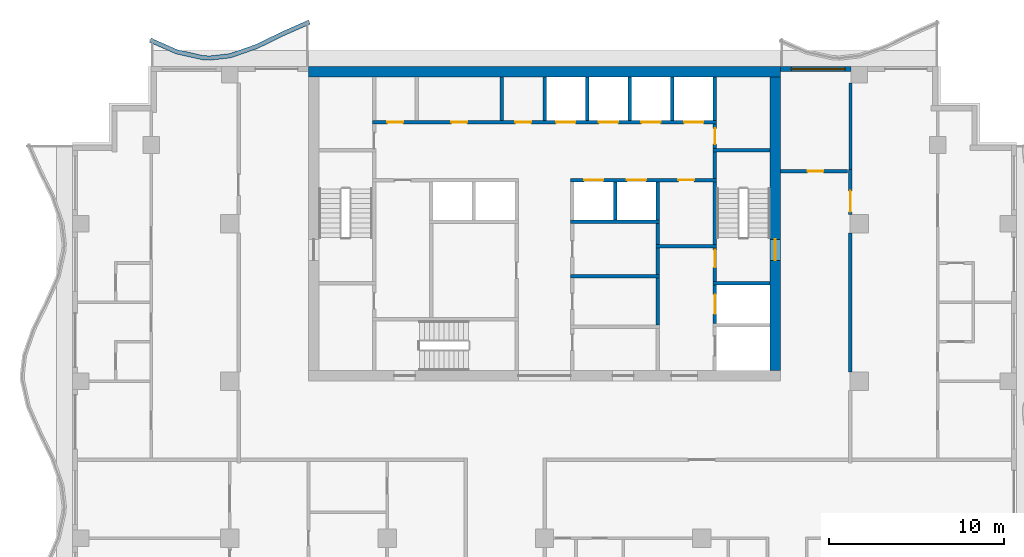
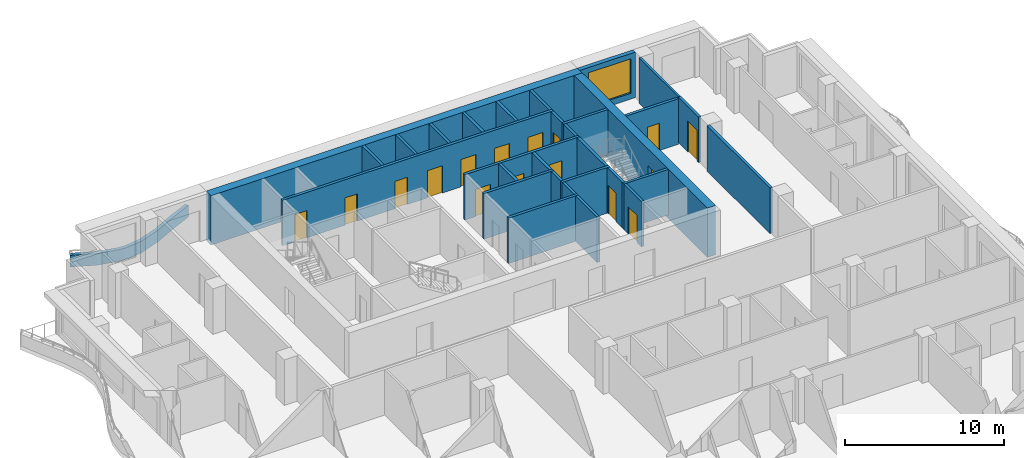
# One storey, part 6 of 11: 31 walls, 16 doors, 1 window, 17 openings.
"""IFC4 building model written with IfcOpenShell, lengths in metres."""

import ifcopenshell
import ifcopenshell.guid

model = None  # the IFC model being written
_history = None  # IfcOwnerHistory: only IFC2X3 demands one
_inside = {}  # id of a spatial element -> (the spatial element, [elements in it])
_under = {}  # id of a project, library or spatial element -> (it, [spatial elements below it])
_declared = {}  # id of a project -> (the project, [libraries it declares])
_typed = {}  # id of a type object -> (the type object, [elements of that type])
_made_of = {}  # id of a material, layer set ... -> (it, [elements and type objects made of it])


def new_model(schema):
    """Start an empty IFC model of exactly this schema.

    Asked for "IFC4X3", IfcOpenShell would pick the latest addendum, in which some entities
    have other attributes; the version numbers below select the first issue.
    IFC2X3 requires an IfcOwnerHistory on every rooted entity: one is made here for all.
    """
    global model, _history
    if schema == "IFC4X3":
        model = ifcopenshell.file(schema_version=(4, 3, 0, 0))
    else:
        model = ifcopenshell.file(schema=schema)
    _inside.clear()
    _under.clear()
    _declared.clear()
    _typed.clear()
    _made_of.clear()
    _history = None
    if model.schema == "IFC2X3":
        org = make("IfcOrganization", Name="unknown")
        user = make(
            "IfcPersonAndOrganization",
            ThePerson=make("IfcPerson", FamilyName="unknown"),
            TheOrganization=org,
        )
        app = make(
            "IfcApplication",
            ApplicationDeveloper=org,
            Version="unknown",
            ApplicationFullName="unknown",
            ApplicationIdentifier="unknown",
        )
        _history = make(
            "IfcOwnerHistory",
            OwningUser=user,
            OwningApplication=app,
            ChangeAction="ADDED",
            CreationDate=0,
        )
    return model


def make(cls, **values):
    """One entity of the class cls with the attributes given. An attribute that is None is left unset."""
    return model.create_entity(
        cls, **{name: value for name, value in values.items() if value is not None}
    )


def rooted(cls, **values):
    """An entity with a GlobalId (a new one), such as an element, a storey or a relation."""
    return make(cls, GlobalId=ifcopenshell.guid.new(), OwnerHistory=_history, **values)


def si_unit(unit_type, name, prefix=None):
    """IfcSIUnit, for example si_unit("LENGTHUNIT", "METRE", prefix="MILLI")."""
    return make("IfcSIUnit", UnitType=unit_type, Prefix=prefix, Name=name)


def assignment(units):
    """IfcUnitAssignment: the units of a project."""
    return None if units is None else make("IfcUnitAssignment", Units=units)


def point(xyz):
    """IfcCartesianPoint."""
    return None if xyz is None else make("IfcCartesianPoint", Coordinates=xyz)


def direction(xyz):
    """IfcDirection."""
    return None if xyz is None else make("IfcDirection", DirectionRatios=xyz)


def frame(location, z_axis=None, x_axis=None):
    """IfcAxis2Placement3D, a coordinate frame: its origin and axes. An axis left out is left unset."""
    return make(
        "IfcAxis2Placement3D",
        Location=point(location),
        Axis=direction(z_axis),
        RefDirection=direction(x_axis),
    )


def frame_2d(location, x_axis=None):
    """IfcAxis2Placement2D, a coordinate frame in the plane: its origin and x axis."""
    return make(
        "IfcAxis2Placement2D", Location=point(location), RefDirection=direction(x_axis)
    )


def origin():
    """The frame at (0, 0, 0) with its axes left unset."""
    return frame((0.0, 0.0, 0.0))


def place(relative_to, where):
    """IfcLocalPlacement: puts the frame where relative to a parent placement (None: the world)."""
    return make(
        "IfcLocalPlacement", PlacementRelTo=relative_to, RelativePlacement=where
    )


def context(
    kind, dimensions, precision=None, world=None, true_north=None, identifier=None
):
    """IfcGeometricRepresentationContext, for example the 3D "Model" context."""
    return make(
        "IfcGeometricRepresentationContext",
        ContextIdentifier=identifier,
        ContextType=kind,
        CoordinateSpaceDimension=dimensions,
        Precision=precision,
        WorldCoordinateSystem=world,
        TrueNorth=true_north,
    )


def subcontext(parent, identifier, kind, view, scale=None):
    """IfcGeometricRepresentationSubContext, for example "Body" below "Model"."""
    return make(
        "IfcGeometricRepresentationSubContext",
        ContextIdentifier=identifier,
        ContextType=kind,
        ParentContext=parent,
        TargetScale=scale,
        TargetView=view,
    )


def project(units=None, contexts=None):
    """IfcProject with its units and contexts."""
    return rooted(
        "IfcProject",
        Name="project",
        RepresentationContexts=contexts,
        UnitsInContext=assignment(units),
    )


def spatial(cls, under=None, at=None, **own):
    """A site, building, storey or space (cls), placed at a placement, below another one or the project."""
    s = rooted(cls, ObjectPlacement=at, **own)
    if under is not None:
        _under.setdefault(under.id(), (under, []))[1].append(s)
    return s


def polyline(points):
    """IfcPolyline through the points."""
    return make("IfcPolyline", Points=[point(p) for p in points])


def profile(cls, at=None, kind="AREA", **sizes):
    """A parametric profile (cls). Its sizes go by their IFC names, for example OverallWidth=200.0."""
    return make(cls, ProfileType=kind, Position=at, **sizes)


def rectangle(**sizes):
    """IfcRectangleProfileDef."""
    return profile("IfcRectangleProfileDef", **sizes)


def outline(outer, holes=None, kind="AREA"):
    """IfcArbitraryClosedProfileDef: a profile drawn as a closed curve; with holes, ...WithVoids."""
    if holes is None:
        return make("IfcArbitraryClosedProfileDef", ProfileType=kind, OuterCurve=outer)
    return make(
        "IfcArbitraryProfileDefWithVoids",
        ProfileType=kind,
        OuterCurve=outer,
        InnerCurves=holes,
    )


def extrude(swept, where, along, depth):
    """IfcExtrudedAreaSolid: the profile swept, set in the frame where, extruded along a direction by depth."""
    return make(
        "IfcExtrudedAreaSolid",
        SweptArea=swept,
        Position=where,
        ExtrudedDirection=direction(along),
        Depth=depth,
    )


def shape(context_of_items, identifier, shape_type, items):
    """IfcShapeRepresentation: the items that make up one representation, for example the "Body"."""
    return make(
        "IfcShapeRepresentation",
        ContextOfItems=context_of_items,
        RepresentationIdentifier=identifier,
        RepresentationType=shape_type,
        Items=items,
    )


def material(Name=None, Category=None):
    """IfcMaterial."""
    return make("IfcMaterial", Name=Name, Category=Category)


def layer(
    of_material, thickness, ventilated=None, Name=None, Category=None, Priority=None
):
    """IfcMaterialLayer: one layer of a wall or slab, of a material (None: an air gap)."""
    return make(
        "IfcMaterialLayer",
        Material=of_material,
        LayerThickness=thickness,
        IsVentilated=ventilated,
        Name=Name,
        Category=Category,
        Priority=Priority,
    )


def layer_set(layers, Name=None):
    """IfcMaterialLayerSet."""
    return make("IfcMaterialLayerSet", MaterialLayers=layers, LayerSetName=Name)


def made_of(thing, what):
    """Note that an element or type object is made of a material, layer set ...; save() writes the relation."""
    if what is not None:
        _made_of.setdefault(what.id(), (what, []))[1].append(thing)
    return thing


def type_object(cls, material=None, **own):
    """A type object (cls), such as IfcWallType, which elements share."""
    return made_of(rooted(cls, **own), material)


def element(
    cls,
    number,
    at=None,
    inside=None,
    cuts=None,
    type_object=None,
    material=None,
    context=None,
    identifier="Body",
    shape_type=None,
    held_by="IfcProductDefinitionShape",
    body=None,
    shapes=None,
    **own,
):
    """One element of the class cls, such as IfcWall. Its Tag is "e" and its number.

    at: its placement. inside: the storey or other place that contains it. cuts: it is an
    opening in that element (IfcRelVoidsElement). A single representation is given by context,
    identifier, shape_type and body (its items); several are given by shapes. held_by: the class
    of the entity that holds the representations. save() writes the other relations.
    """
    e = rooted(cls, Tag="e%d" % number, ObjectPlacement=at, **own)
    if body is not None:
        shapes = [shape(context, identifier, shape_type, body)]
    if shapes is not None:
        e.Representation = make(held_by, Representations=shapes)
    if inside is not None:
        _inside.setdefault(inside.id(), (inside, []))[1].append(e)
    if cuts is not None:
        rooted(
            "IfcRelVoidsElement", RelatingBuildingElement=cuts, RelatedOpeningElement=e
        )
    if type_object is not None:
        _typed.setdefault(type_object.id(), (type_object, []))[1].append(e)
    return made_of(e, material)


def fill(opening, filler):
    """IfcRelFillsElement: the door or window that sits in an opening."""
    return rooted(
        "IfcRelFillsElement",
        RelatingOpeningElement=opening,
        RelatedBuildingElement=filler,
    )


def aggregate(whole, parts):
    """IfcRelAggregates: a whole, such as a stair, and the parts it consists of."""
    return rooted("IfcRelAggregates", RelatingObject=whole, RelatedObjects=parts)


def save(model, path):
    """Write the relations noted so far, then the file.

    IfcRelAggregates (storeys below a building ...), IfcRelContainedInSpatialStructure (elements
    in a storey), IfcRelDefinesByType, IfcRelAssociatesMaterial and IfcRelDeclares: one each for
    every whole, place, type object, material and project.
    """
    for whole, parts in _under.values():
        aggregate(whole, parts)
    for where, things in _inside.values():
        rooted(
            "IfcRelContainedInSpatialStructure",
            RelatedElements=things,
            RelatingStructure=where,
        )
    for kind, things in _typed.values():
        rooted("IfcRelDefinesByType", RelatedObjects=things, RelatingType=kind)
    for what, things in _made_of.values():
        rooted("IfcRelAssociatesMaterial", RelatedObjects=things, RelatingMaterial=what)
    for by, libraries in _declared.values():
        rooted("IfcRelDeclares", RelatingContext=by, RelatedDefinitions=libraries)
    model.write(path)


model = new_model("IFC4")

# Units and contexts
model_context = context("Model", 3, precision=1e-05, world=origin(), true_north=direction((0.0, 1.0)))
body_context = subcontext(model_context, "Body", "Model", "MODEL_VIEW")
ifc_project = project(units=[si_unit("LENGTHUNIT", "METRE"), si_unit("AREAUNIT", "SQUARE_METRE"), si_unit("VOLUMEUNIT", "CUBIC_METRE"), si_unit("PLANEANGLEUNIT", "RADIAN"), si_unit("MASSUNIT", "GRAM", prefix="KILO")], contexts=[model_context])

# Site, building, storey
site_placement = place(None, origin())
site = spatial("IfcSite", under=ifc_project, at=site_placement, CompositionType="ELEMENT")
building_placement = place(site_placement, origin())
building = spatial("IfcBuilding", under=site, at=building_placement, Name="Orbiselva Terraces", CompositionType="ELEMENT")
storey_placement = place(building_placement, frame((0.0, 0.0, 222.4)))
storey = spatial("IfcBuildingStorey", under=building, at=storey_placement, Name="L56", CompositionType="ELEMENT", Elevation=222.4)

# Wall, opening, door
ifc_material_1 = material(Name="Concrete C80/95", Category="concrete")
ifc_layer_1 = layer(ifc_material_1, 0.6)
ifc_layer_set_1 = layer_set([ifc_layer_1], Name="Concrete C80/95")
wall_type_1 = type_object("IfcWallType", Name="CORE WALL 600", PredefinedType="SHEAR", material=ifc_layer_set_1)
wall_1_placement = place(storey_placement, frame((13.2, 5.1, -0.3), z_axis=(0.0, 0.0, 1.0), x_axis=(0.0, 1.0, 0.0)))
wall_1 = element("IfcWall", 1, at=wall_1_placement, inside=storey, type_object=wall_type_1, Name="Core wall L56 east", PredefinedType="SHEAR", context=body_context, shape_type="SweptSolid", body=[
    extrude(rectangle(XDim=16.8, YDim=0.6, at=frame_2d((8.4, 0.0))), origin(), (0.0, 0.0, 1.0), 3.8),
])
opening_1_placement = place(wall_1_placement, frame((6.3, 0.0, 0.3)))
opening_1 = element("IfcOpeningElement", 2, at=opening_1_placement, cuts=wall_1, Name="Opening DS1200", PredefinedType="OPENING", context=body_context, shape_type="SweptSolid", body=[
    extrude(rectangle(XDim=1.2, YDim=2.2, at=frame_2d((0.6, 1.1))), frame((0.0, 0.31, 0.0), z_axis=(0.0, -1.0, 0.0), x_axis=(1.0, 0.0, 0.0)), (0.0, 0.0, 1.0), 0.62),
])
ifc_material_2 = material(Name="Steel fire door", Category="steel")
door_type_1 = type_object("IfcDoorType", Name="STAIR DOOR 1200", OperationType="NOTDEFINED", PredefinedType="DOOR", material=ifc_material_2)
door_1_placement = place(opening_1_placement, frame((1.2, 0.0, 0.0), z_axis=(0.0, 0.0, 1.0), x_axis=(-1.0, 0.0, 0.0)))
door_1 = element("IfcDoor", 3, at=door_1_placement, inside=storey, type_object=door_type_1, Name="L56 EXIT STAIR S2 door", OperationType="SINGLE_SWING_LEFT", OverallHeight=2.2, OverallWidth=1.2, PredefinedType="DOOR", context=body_context, shape_type="SweptSolid", body=[
    extrude(rectangle(XDim=1.2, YDim=2.2, at=frame_2d((0.6, 1.1))), frame((0.0, 0.025, 0.0), z_axis=(0.0, -1.0, 0.0), x_axis=(1.0, 0.0, 0.0)), (0.0, 0.0, 1.0), 0.05),
])
fill(opening_1, door_1)

# Walls
ifc_layer_2 = layer(ifc_material_1, 0.6)
ifc_layer_set_2 = layer_set([ifc_layer_2], Name="Concrete C80/95")
wall_type_2 = type_object("IfcWallType", Name="CORE WALL 600 EXTERNAL", PredefinedType="SHEAR", material=ifc_layer_set_2)
wall_2_placement = place(storey_placement, frame((13.5, 22.2, -0.3), z_axis=(0.0, 0.0, 1.0), x_axis=(-1.0, 0.0, 0.0)))
element("IfcWall", 4, at=wall_2_placement, inside=storey, type_object=wall_type_2, Name="Core wall L56 north", PredefinedType="SHEAR", context=body_context, shape_type="SweptSolid", body=[
    extrude(rectangle(XDim=27.0, YDim=0.6, at=frame_2d((13.5, 0.0))), origin(), (0.0, 0.0, 1.0), 3.8),
])
ifc_material_3 = material(Name="Masonry blockwork", Category="masonry")
ifc_layer_3 = layer(ifc_material_3, 0.2)
ifc_layer_set_3 = layer_set([ifc_layer_3], Name="Masonry blockwork")
wall_type_3 = type_object("IfcWallType", Name="CORE-WALL-PARTITION-200", PredefinedType="PARTITIONING", material=ifc_layer_set_3)
wall_3_placement = place(storey_placement, frame((-2.4375, 19.4, 0.0), z_axis=(0.0, 0.0, 1.0), x_axis=(0.0, 1.0, 0.0)))
element("IfcWall", 5, at=wall_3_placement, inside=storey, type_object=wall_type_3, Name="L56 core wall 17", PredefinedType="PARTITIONING", context=body_context, shape_type="SweptSolid", body=[
    extrude(rectangle(XDim=2.5, YDim=0.2, at=frame_2d((1.25, 0.0))), origin(), (0.0, 0.0, 1.0), 3.5),
])
wall_4_placement = place(storey_placement, frame((6.475, 12.3, 0.0), z_axis=(0.0, 0.0, 1.0), x_axis=(0.0, 1.0, 0.0)))
element("IfcWall", 6, at=wall_4_placement, inside=storey, type_object=wall_type_3, Name="L56 core wall 37", PredefinedType="PARTITIONING", context=body_context, shape_type="SweptSolid", body=[
    extrude(rectangle(XDim=1.2, YDim=0.2, at=frame_2d((0.6, 0.0))), origin(), (0.0, 0.0, 1.0), 3.5),
])

# Wall, opening, door
wall_5_placement = place(storey_placement, frame((9.75, 19.2, 0.0), z_axis=(0.0, 0.0, 1.0), x_axis=(0.0, -1.0, 0.0)))
wall_5 = element("IfcWall", 7, at=wall_5_placement, inside=storey, type_object=wall_type_3, Name="L56 core wall 48", PredefinedType="PARTITIONING", context=body_context, shape_type="SweptSolid", body=[
    extrude(rectangle(XDim=1.4, YDim=0.2, at=frame_2d((0.7, 0.0))), origin(), (0.0, 0.0, 1.0), 3.5),
])
opening_2_placement = place(wall_5_placement, frame((0.25, 0.0, 0.0)))
opening_2 = element("IfcOpeningElement", 8, at=opening_2_placement, cuts=wall_5, Name="Opening DR900", PredefinedType="OPENING", context=body_context, shape_type="SweptSolid", body=[
    extrude(rectangle(XDim=0.9, YDim=2.1, at=frame_2d((0.45, 1.05))), frame((0.0, 0.11, 0.0), z_axis=(0.0, -1.0, 0.0), x_axis=(1.0, 0.0, 0.0)), (0.0, 0.0, 1.0), 0.22),
])
door_type_2 = type_object("IfcDoorType", Name="ROOM DOOR 900", OperationType="NOTDEFINED", PredefinedType="DOOR", material=ifc_material_2)
door_2_placement = place(opening_2_placement, origin())
door_2 = element("IfcDoor", 9, at=door_2_placement, inside=storey, type_object=door_type_2, Name="L56 COMMS RISER ROOM door", OperationType="SINGLE_SWING_RIGHT", OverallHeight=2.1, OverallWidth=0.9, PredefinedType="DOOR", context=body_context, shape_type="SweptSolid", body=[
    extrude(rectangle(XDim=0.9, YDim=2.1, at=frame_2d((0.45, 1.05))), frame((0.0, 0.025, 0.0), z_axis=(0.0, -1.0, 0.0), x_axis=(1.0, 0.0, 0.0)), (0.0, 0.0, 1.0), 0.05),
])
fill(opening_2, door_2)

# Walls
ifc_material_4 = material(Name="Concrete C40/50", Category="concrete")
ifc_layer_4 = layer(ifc_material_4, 0.2)
ifc_layer_set_4 = layer_set([ifc_layer_4], Name="Concrete C40/50")
wall_type_4 = type_object("IfcWallType", Name="CORE-WALL-SHAFT-200", PredefinedType="PARTITIONING", material=ifc_layer_set_4)
for number, where, z_axis, x_axis, name in (
    (10, (0.0, 19.4, 0.0), (0.0, 0.0, 1.0), (0.0, 1.0, 0.0), "L56 core wall 21"),
    (11, (2.4375, 19.4, 0.0), (0.0, 0.0, 1.0), (0.0, 1.0, 0.0), "L56 core wall 30"),
):
    element("IfcWall", number, at=place(storey_placement, frame(where, z_axis=z_axis, x_axis=x_axis)), inside=storey, type_object=wall_type_4, Name=name, PredefinedType="PARTITIONING", context=body_context, shape_type="SweptSolid", body=[
        extrude(rectangle(XDim=2.5, YDim=0.2, at=frame_2d((1.25, 0.0))), origin(), (0.0, 0.0, 1.0), 3.5),
    ])
wall_6_placement = place(storey_placement, frame((4.0375, 13.7, 0.0), z_axis=(0.0, 0.0, 1.0), x_axis=(0.0, 1.0, 0.0)))
element("IfcWall", 12, at=wall_6_placement, inside=storey, type_object=wall_type_4, Name="L56 core wall 31", PredefinedType="PARTITIONING", context=body_context, shape_type="SweptSolid", body=[
    extrude(rectangle(XDim=2.2, YDim=0.2, at=frame_2d((1.1, 0.0))), origin(), (0.0, 0.0, 1.0), 3.5),
])
wall_7_placement = place(storey_placement, frame((4.875, 19.4, 0.0), z_axis=(0.0, 0.0, 1.0), x_axis=(0.0, 1.0, 0.0)))
element("IfcWall", 13, at=wall_7_placement, inside=storey, type_object=wall_type_4, Name="L56 core wall 32", PredefinedType="PARTITIONING", context=body_context, shape_type="SweptSolid", body=[
    extrude(rectangle(XDim=2.5, YDim=0.2, at=frame_2d((1.25, 0.0))), origin(), (0.0, 0.0, 1.0), 3.5),
])
wall_8_placement = place(storey_placement, frame((6.475, 13.7, 0.0), z_axis=(0.0, 0.0, 1.0), x_axis=(0.0, 1.0, 0.0)))
element("IfcWall", 14, at=wall_8_placement, inside=storey, type_object=wall_type_4, Name="L56 core wall 38", PredefinedType="PARTITIONING", context=body_context, shape_type="SweptSolid", body=[
    extrude(rectangle(XDim=2.2, YDim=0.2, at=frame_2d((1.1, 0.0))), origin(), (0.0, 0.0, 1.0), 3.5),
])
for number, where, z_axis, x_axis, name in (
    (15, (7.3125, 19.4, 0.0), (0.0, 0.0, 1.0), (0.0, 1.0, 0.0), "L56 core wall 39"),
    (16, (9.75, 19.4, 0.0), (0.0, 0.0, 1.0), (0.0, 1.0, 0.0), "L56 core wall 49"),
):
    element("IfcWall", number, at=place(storey_placement, frame(where, z_axis=z_axis, x_axis=x_axis)), inside=storey, type_object=wall_type_4, Name=name, PredefinedType="PARTITIONING", context=body_context, shape_type="SweptSolid", body=[
        extrude(rectangle(XDim=2.5, YDim=0.2, at=frame_2d((1.25, 0.0))), origin(), (0.0, 0.0, 1.0), 3.5),
    ])

# Wall, openings, doors
ifc_material_5 = material(Name="Concrete C60/75", Category="concrete")
ifc_layer_5 = layer(ifc_material_5, 0.2)
ifc_layer_set_5 = layer_set([ifc_layer_5], Name="Concrete C60/75")
wall_type_5 = type_object("IfcWallType", Name="CORE-WALL-SHEAR-200", PredefinedType="SHEAR", material=ifc_layer_set_5)
wall_9_placement = place(storey_placement, frame((-9.85, 19.3, 0.0), z_axis=(0.0, 0.0, 1.0), x_axis=(1.0, 0.0, 0.0)))
wall_9 = element("IfcWall", 17, at=wall_9_placement, inside=storey, type_object=wall_type_5, Name="L56 core wall 10", PredefinedType="SHEAR", context=body_context, shape_type="SweptSolid", body=[
    extrude(rectangle(XDim=19.7, YDim=0.2, at=frame_2d((9.85, 0.0))), origin(), (0.0, 0.0, 1.0), 3.5),
])
opening_3_placement = place(wall_9_placement, frame((10.51875, 0.0, 0.0)))
opening_3 = element("IfcOpeningElement", 18, at=opening_3_placement, cuts=wall_9, Name="Opening LD-HR1", PredefinedType="OPENING", context=body_context, shape_type="SweptSolid", body=[
    extrude(rectangle(XDim=1.1, YDim=2.1, at=frame_2d((0.55, 1.05))), frame((0.0, 0.11, 0.0), z_axis=(0.0, -1.0, 0.0), x_axis=(1.0, 0.0, 0.0)), (0.0, 0.0, 1.0), 0.22),
])
opening_4_placement = place(wall_9_placement, frame((12.95625, 0.0, 0.0)))
opening_4 = element("IfcOpeningElement", 19, at=opening_4_placement, cuts=wall_9, Name="Opening LD-HR2", PredefinedType="OPENING", context=body_context, shape_type="SweptSolid", body=[
    extrude(rectangle(XDim=1.1, YDim=2.1, at=frame_2d((0.55, 1.05))), frame((0.0, 0.11, 0.0), z_axis=(0.0, -1.0, 0.0), x_axis=(1.0, 0.0, 0.0)), (0.0, 0.0, 1.0), 0.22),
])
opening_5_placement = place(wall_9_placement, frame((15.39375, 0.0, 0.0)))
opening_5 = element("IfcOpeningElement", 20, at=opening_5_placement, cuts=wall_9, Name="Opening LD-HR3", PredefinedType="OPENING", context=body_context, shape_type="SweptSolid", body=[
    extrude(rectangle(XDim=1.1, YDim=2.1, at=frame_2d((0.55, 1.05))), frame((0.0, 0.11, 0.0), z_axis=(0.0, -1.0, 0.0), x_axis=(1.0, 0.0, 0.0)), (0.0, 0.0, 1.0), 0.22),
])
opening_6_placement = place(wall_9_placement, frame((17.83125, 0.0, 0.0)))
opening_6 = element("IfcOpeningElement", 21, at=opening_6_placement, cuts=wall_9, Name="Opening LD-HR4", PredefinedType="OPENING", context=body_context, shape_type="SweptSolid", body=[
    extrude(rectangle(XDim=1.1, YDim=2.1, at=frame_2d((0.55, 1.05))), frame((0.0, 0.11, 0.0), z_axis=(0.0, -1.0, 0.0), x_axis=(1.0, 0.0, 0.0)), (0.0, 0.0, 1.0), 0.22),
])
opening_7_placement = place(wall_9_placement, frame((0.8688, 0.0, 0.0)))
opening_7 = element("IfcOpeningElement", 22, at=opening_7_placement, cuts=wall_9, Name="Opening DR900", PredefinedType="OPENING", context=body_context, shape_type="SweptSolid", body=[
    extrude(rectangle(XDim=0.9, YDim=2.1, at=frame_2d((0.45, 1.05))), frame((0.0, 0.11, 0.0), z_axis=(0.0, -1.0, 0.0), x_axis=(1.0, 0.0, 0.0)), (0.0, 0.0, 1.0), 0.22),
])
opening_8_placement = place(wall_9_placement, frame((4.525, 0.0, 0.0)))
opening_8 = element("IfcOpeningElement", 23, at=opening_8_placement, cuts=wall_9, Name="Opening DR900", PredefinedType="OPENING", context=body_context, shape_type="SweptSolid", body=[
    extrude(rectangle(XDim=0.9, YDim=2.1, at=frame_2d((0.45, 1.05))), frame((0.0, 0.11, 0.0), z_axis=(0.0, -1.0, 0.0), x_axis=(1.0, 0.0, 0.0)), (0.0, 0.0, 1.0), 0.22),
])
opening_9_placement = place(wall_9_placement, frame((8.1812, 0.0, 0.0)))
opening_9 = element("IfcOpeningElement", 24, at=opening_9_placement, cuts=wall_9, Name="Opening DR900", PredefinedType="OPENING", context=body_context, shape_type="SweptSolid", body=[
    extrude(rectangle(XDim=0.9, YDim=2.1, at=frame_2d((0.45, 1.05))), frame((0.0, 0.11, 0.0), z_axis=(0.0, -1.0, 0.0), x_axis=(1.0, 0.0, 0.0)), (0.0, 0.0, 1.0), 0.22),
])
ifc_material_6 = material(Name="Stainless steel landing door", Category="steel")
door_type_3 = type_object("IfcDoorType", Name="LANDING DOOR 1100", OperationType="SLIDING_TO_LEFT", PredefinedType="DOOR", material=ifc_material_6)
door_3_placement = place(opening_3_placement, origin())
door_3 = element("IfcDoor", 25, at=door_3_placement, inside=storey, type_object=door_type_3, Name="L56 landing door HR1", OperationType="SLIDING_TO_RIGHT", OverallHeight=2.1, OverallWidth=1.1, PredefinedType="DOOR", context=body_context, shape_type="SweptSolid", body=[
    extrude(rectangle(XDim=1.1, YDim=2.1, at=frame_2d((0.55, 1.05))), frame((0.0, 0.025, 0.0), z_axis=(0.0, -1.0, 0.0), x_axis=(1.0, 0.0, 0.0)), (0.0, 0.0, 1.0), 0.05),
])
fill(opening_3, door_3)
door_4_placement = place(opening_4_placement, origin())
door_4 = element("IfcDoor", 26, at=door_4_placement, inside=storey, type_object=door_type_3, Name="L56 landing door HR2", OperationType="SLIDING_TO_RIGHT", OverallHeight=2.1, OverallWidth=1.1, PredefinedType="DOOR", context=body_context, shape_type="SweptSolid", body=[
    extrude(rectangle(XDim=1.1, YDim=2.1, at=frame_2d((0.55, 1.05))), frame((0.0, 0.025, 0.0), z_axis=(0.0, -1.0, 0.0), x_axis=(1.0, 0.0, 0.0)), (0.0, 0.0, 1.0), 0.05),
])
fill(opening_4, door_4)
door_5_placement = place(opening_5_placement, origin())
door_5 = element("IfcDoor", 27, at=door_5_placement, inside=storey, type_object=door_type_3, Name="L56 landing door HR3", OperationType="SLIDING_TO_RIGHT", OverallHeight=2.1, OverallWidth=1.1, PredefinedType="DOOR", context=body_context, shape_type="SweptSolid", body=[
    extrude(rectangle(XDim=1.1, YDim=2.1, at=frame_2d((0.55, 1.05))), frame((0.0, 0.025, 0.0), z_axis=(0.0, -1.0, 0.0), x_axis=(1.0, 0.0, 0.0)), (0.0, 0.0, 1.0), 0.05),
])
fill(opening_5, door_5)
door_6_placement = place(opening_6_placement, origin())
door_6 = element("IfcDoor", 28, at=door_6_placement, inside=storey, type_object=door_type_3, Name="L56 landing door HR4", OperationType="SLIDING_TO_RIGHT", OverallHeight=2.1, OverallWidth=1.1, PredefinedType="DOOR", context=body_context, shape_type="SweptSolid", body=[
    extrude(rectangle(XDim=1.1, YDim=2.1, at=frame_2d((0.55, 1.05))), frame((0.0, 0.025, 0.0), z_axis=(0.0, -1.0, 0.0), x_axis=(1.0, 0.0, 0.0)), (0.0, 0.0, 1.0), 0.05),
])
fill(opening_6, door_6)
door_7_placement = place(opening_7_placement, origin())
door_7 = element("IfcDoor", 29, at=door_7_placement, inside=storey, type_object=door_type_2, Name="L56 STORE door", OperationType="SINGLE_SWING_LEFT", OverallHeight=2.1, OverallWidth=0.9, PredefinedType="DOOR", context=body_context, shape_type="SweptSolid", body=[
    extrude(rectangle(XDim=0.9, YDim=2.1, at=frame_2d((0.45, 1.05))), frame((0.0, 0.025, 0.0), z_axis=(0.0, -1.0, 0.0), x_axis=(1.0, 0.0, 0.0)), (0.0, 0.0, 1.0), 0.05),
])
fill(opening_7, door_7)
door_8_placement = place(opening_8_placement, origin())
door_8 = element("IfcDoor", 30, at=door_8_placement, inside=storey, type_object=door_type_2, Name="L56 IT ROOM door", OperationType="SINGLE_SWING_LEFT", OverallHeight=2.1, OverallWidth=0.9, PredefinedType="DOOR", context=body_context, shape_type="SweptSolid", body=[
    extrude(rectangle(XDim=0.9, YDim=2.1, at=frame_2d((0.45, 1.05))), frame((0.0, 0.025, 0.0), z_axis=(0.0, -1.0, 0.0), x_axis=(1.0, 0.0, 0.0)), (0.0, 0.0, 1.0), 0.05),
])
fill(opening_8, door_8)
door_9_placement = place(opening_9_placement, origin())
door_9 = element("IfcDoor", 31, at=door_9_placement, inside=storey, type_object=door_type_2, Name="L56 CLEANERS STORE door", OperationType="SINGLE_SWING_LEFT", OverallHeight=2.1, OverallWidth=0.9, PredefinedType="DOOR", context=body_context, shape_type="SweptSolid", body=[
    extrude(rectangle(XDim=0.9, YDim=2.1, at=frame_2d((0.45, 1.05))), frame((0.0, 0.025, 0.0), z_axis=(0.0, -1.0, 0.0), x_axis=(1.0, 0.0, 0.0)), (0.0, 0.0, 1.0), 0.05),
])
fill(opening_9, door_9)

# Walls
for number, where, z_axis, x_axis, name in (
    (32, (1.5, 10.5, 0.0), (0.0, 0.0, 1.0), (1.0, 0.0, 0.0), "L56 core wall 25"),
    (33, (1.5, 13.6, 0.0), (0.0, 0.0, 1.0), (1.0, 0.0, 0.0), "L56 core wall 27"),
):
    element("IfcWall", number, at=place(storey_placement, frame(where, z_axis=z_axis, x_axis=x_axis)), inside=storey, type_object=wall_type_5, Name=name, PredefinedType="SHEAR", context=body_context, shape_type="SweptSolid", body=[
        extrude(rectangle(XDim=5.075, YDim=0.2, at=frame_2d((2.5375, 0.0))), origin(), (0.0, 0.0, 1.0), 3.5),
    ])

# Wall, openings, doors
wall_10_placement = place(storey_placement, frame((9.85, 16.0, 0.0), z_axis=(0.0, 0.0, 1.0), x_axis=(-1.0, 0.0, 0.0)))
wall_10 = element("IfcWall", 34, at=wall_10_placement, inside=storey, type_object=wall_type_5, Name="L56 core wall 29", PredefinedType="SHEAR", context=body_context, shape_type="SweptSolid", body=[
    extrude(rectangle(XDim=8.35, YDim=0.2, at=frame_2d((4.175, 0.0))), origin(), (0.0, 0.0, 1.0), 3.5),
])
opening_10_placement = place(wall_10_placement, frame((6.48125, 0.0, 0.0)))
opening_10 = element("IfcOpeningElement", 35, at=opening_10_placement, cuts=wall_10, Name="Opening LD-HR5", PredefinedType="OPENING", context=body_context, shape_type="SweptSolid", body=[
    extrude(rectangle(XDim=1.1, YDim=2.1, at=frame_2d((0.55, 1.05))), frame((0.0, 0.11, 0.0), z_axis=(0.0, -1.0, 0.0), x_axis=(1.0, 0.0, 0.0)), (0.0, 0.0, 1.0), 0.22),
])
opening_11_placement = place(wall_10_placement, frame((4.04375, 0.0, 0.0)))
opening_11 = element("IfcOpeningElement", 36, at=opening_11_placement, cuts=wall_10, Name="Opening LD-HR6", PredefinedType="OPENING", context=body_context, shape_type="SweptSolid", body=[
    extrude(rectangle(XDim=1.1, YDim=2.1, at=frame_2d((0.55, 1.05))), frame((0.0, 0.11, 0.0), z_axis=(0.0, -1.0, 0.0), x_axis=(1.0, 0.0, 0.0)), (0.0, 0.0, 1.0), 0.22),
])
opening_12_placement = place(wall_10_placement, frame((1.2875, 0.0, 0.0)))
opening_12 = element("IfcOpeningElement", 37, at=opening_12_placement, cuts=wall_10, Name="Opening DR900", PredefinedType="OPENING", context=body_context, shape_type="SweptSolid", body=[
    extrude(rectangle(XDim=0.9, YDim=2.1, at=frame_2d((0.45, 1.05))), frame((0.0, 0.11, 0.0), z_axis=(0.0, -1.0, 0.0), x_axis=(1.0, 0.0, 0.0)), (0.0, 0.0, 1.0), 0.22),
])
door_10_placement = place(opening_10_placement, origin())
door_10 = element("IfcDoor", 38, at=door_10_placement, inside=storey, type_object=door_type_3, Name="L56 landing door HR5", OperationType="SLIDING_TO_RIGHT", OverallHeight=2.1, OverallWidth=1.1, PredefinedType="DOOR", context=body_context, shape_type="SweptSolid", body=[
    extrude(rectangle(XDim=1.1, YDim=2.1, at=frame_2d((0.55, 1.05))), frame((0.0, 0.025, 0.0), z_axis=(0.0, -1.0, 0.0), x_axis=(1.0, 0.0, 0.0)), (0.0, 0.0, 1.0), 0.05),
])
fill(opening_10, door_10)
door_11_placement = place(opening_11_placement, origin())
door_11 = element("IfcDoor", 39, at=door_11_placement, inside=storey, type_object=door_type_3, Name="L56 landing door HR6", OperationType="SLIDING_TO_RIGHT", OverallHeight=2.1, OverallWidth=1.1, PredefinedType="DOOR", context=body_context, shape_type="SweptSolid", body=[
    extrude(rectangle(XDim=1.1, YDim=2.1, at=frame_2d((0.55, 1.05))), frame((0.0, 0.025, 0.0), z_axis=(0.0, -1.0, 0.0), x_axis=(1.0, 0.0, 0.0)), (0.0, 0.0, 1.0), 0.05),
])
fill(opening_11, door_11)
door_12_placement = place(opening_12_placement, origin())
door_12 = element("IfcDoor", 40, at=door_12_placement, inside=storey, type_object=door_type_2, Name="L56 PIPE RISER ROOM door", OperationType="SINGLE_SWING_LEFT", OverallHeight=2.1, OverallWidth=0.9, PredefinedType="DOOR", context=body_context, shape_type="SweptSolid", body=[
    extrude(rectangle(XDim=0.9, YDim=2.1, at=frame_2d((0.45, 1.05))), frame((0.0, 0.025, 0.0), z_axis=(0.0, -1.0, 0.0), x_axis=(1.0, 0.0, 0.0)), (0.0, 0.0, 1.0), 0.05),
])
fill(opening_12, door_12)

# Walls
wall_11_placement = place(storey_placement, frame((6.475, 7.7, 0.0), z_axis=(0.0, 0.0, 1.0), x_axis=(0.0, 1.0, 0.0)))
element("IfcWall", 41, at=wall_11_placement, inside=storey, type_object=wall_type_5, Name="L56 core wall 34", PredefinedType="SHEAR", context=body_context, shape_type="SweptSolid", body=[
    extrude(rectangle(XDim=2.7, YDim=0.2, at=frame_2d((1.35, 0.0))), origin(), (0.0, 0.0, 1.0), 3.5),
])
wall_12_placement = place(storey_placement, frame((6.475, 10.6, 0.0), z_axis=(0.0, 0.0, 1.0), x_axis=(0.0, 1.0, 0.0)))
element("IfcWall", 42, at=wall_12_placement, inside=storey, type_object=wall_type_5, Name="L56 core wall 35", PredefinedType="SHEAR", context=body_context, shape_type="SweptSolid", body=[
    extrude(rectangle(XDim=1.5, YDim=0.2, at=frame_2d((0.75, 0.0))), origin(), (0.0, 0.0, 1.0), 3.5),
])
wall_13_placement = place(storey_placement, frame((6.375, 12.2, 0.0), z_axis=(0.0, 0.0, 1.0), x_axis=(1.0, 0.0, 0.0)))
element("IfcWall", 43, at=wall_13_placement, inside=storey, type_object=wall_type_5, Name="L56 core wall 36", PredefinedType="SHEAR", context=body_context, shape_type="SweptSolid", body=[
    extrude(rectangle(XDim=3.475, YDim=0.2, at=frame_2d((1.7375, 0.0))), origin(), (0.0, 0.0, 1.0), 3.5),
])

# Wall, opening, door
wall_14_placement = place(storey_placement, frame((9.75, 7.8, 0.0), z_axis=(0.0, 0.0, 1.0), x_axis=(0.0, 1.0, 0.0)))
wall_14 = element("IfcWall", 44, at=wall_14_placement, inside=storey, type_object=wall_type_5, Name="L56 core wall 42", PredefinedType="SHEAR", context=body_context, shape_type="SweptSolid", body=[
    extrude(rectangle(XDim=2.2, YDim=0.2, at=frame_2d((1.1, 0.0))), origin(), (0.0, 0.0, 1.0), 3.5),
])
opening_13_placement = place(wall_14_placement, frame((0.55, 0.0, 0.0)))
opening_13 = element("IfcOpeningElement", 45, at=opening_13_placement, cuts=wall_14, Name="Opening LD-FF2", PredefinedType="OPENING", context=body_context, shape_type="SweptSolid", body=[
    extrude(rectangle(XDim=1.1, YDim=2.1, at=frame_2d((0.55, 1.05))), frame((0.0, 0.11, 0.0), z_axis=(0.0, -1.0, 0.0), x_axis=(1.0, 0.0, 0.0)), (0.0, 0.0, 1.0), 0.22),
])
door_13_placement = place(opening_13_placement, origin())
door_13 = element("IfcDoor", 46, at=door_13_placement, inside=storey, type_object=door_type_3, Name="L56 landing door FF2", OperationType="SLIDING_TO_RIGHT", OverallHeight=2.1, OverallWidth=1.1, PredefinedType="DOOR", context=body_context, shape_type="SweptSolid", body=[
    extrude(rectangle(XDim=1.1, YDim=2.1, at=frame_2d((0.55, 1.05))), frame((0.0, 0.025, 0.0), z_axis=(0.0, -1.0, 0.0), x_axis=(1.0, 0.0, 0.0)), (0.0, 0.0, 1.0), 0.05),
])
fill(opening_13, door_13)

# Wall
wall_15_placement = place(storey_placement, frame((9.65, 10.1, 0.0), z_axis=(0.0, 0.0, 1.0), x_axis=(1.0, 0.0, 0.0)))
element("IfcWall", 47, at=wall_15_placement, inside=storey, type_object=wall_type_5, Name="L56 core wall 43", PredefinedType="SHEAR", context=body_context, shape_type="SweptSolid", body=[
    extrude(rectangle(XDim=3.25, YDim=0.2, at=frame_2d((1.625, 0.0))), origin(), (0.0, 0.0, 1.0), 3.5),
])

# Wall, opening, door
wall_16_placement = place(storey_placement, frame((9.75, 12.1, 0.0), z_axis=(0.0, 0.0, 1.0), x_axis=(0.0, -1.0, 0.0)))
wall_16 = element("IfcWall", 48, at=wall_16_placement, inside=storey, type_object=wall_type_5, Name="L56 core wall 44", PredefinedType="SHEAR", context=body_context, shape_type="SweptSolid", body=[
    extrude(rectangle(XDim=1.9, YDim=0.2, at=frame_2d((0.95, 0.0))), origin(), (0.0, 0.0, 1.0), 3.5),
])
opening_14_placement = place(wall_16_placement, frame((0.1, 0.0, 0.0)))
opening_14 = element("IfcOpeningElement", 49, at=opening_14_placement, cuts=wall_16, Name="Opening DS1000", PredefinedType="OPENING", context=body_context, shape_type="SweptSolid", body=[
    extrude(rectangle(XDim=1.0, YDim=2.2, at=frame_2d((0.5, 1.1))), frame((0.0, 0.11, 0.0), z_axis=(0.0, -1.0, 0.0), x_axis=(1.0, 0.0, 0.0)), (0.0, 0.0, 1.0), 0.22),
])
door_type_4 = type_object("IfcDoorType", Name="STAIR DOOR 1000", OperationType="NOTDEFINED", PredefinedType="DOOR", material=ifc_material_2)
door_14_placement = place(opening_14_placement, origin())
door_14 = element("IfcDoor", 50, at=door_14_placement, inside=storey, type_object=door_type_4, Name="L56 FIRE-FIGHTING LOBBY TO EXIT STAIR S2 door", OperationType="SINGLE_SWING_LEFT", OverallHeight=2.2, OverallWidth=1.0, PredefinedType="DOOR", context=body_context, shape_type="SweptSolid", body=[
    extrude(rectangle(XDim=1.0, YDim=2.2, at=frame_2d((0.5, 1.1))), frame((0.0, 0.025, 0.0), z_axis=(0.0, -1.0, 0.0), x_axis=(1.0, 0.0, 0.0)), (0.0, 0.0, 1.0), 0.05),
])
fill(opening_14, door_14)

# Walls
wall_17_placement = place(storey_placement, frame((9.75, 12.3, 0.0), z_axis=(0.0, 0.0, 1.0), x_axis=(0.0, 1.0, 0.0)))
element("IfcWall", 51, at=wall_17_placement, inside=storey, type_object=wall_type_5, Name="L56 core wall 45", PredefinedType="SHEAR", context=body_context, shape_type="SweptSolid", body=[
    extrude(rectangle(XDim=3.6, YDim=0.2, at=frame_2d((1.8, 0.0))), origin(), (0.0, 0.0, 1.0), 3.5),
])
wall_18_placement = place(storey_placement, frame((9.75, 16.1, 0.0), z_axis=(0.0, 0.0, 1.0), x_axis=(0.0, 1.0, 0.0)))
element("IfcWall", 52, at=wall_18_placement, inside=storey, type_object=wall_type_5, Name="L56 core wall 46", PredefinedType="SHEAR", context=body_context, shape_type="SweptSolid", body=[
    extrude(rectangle(XDim=1.5, YDim=0.2, at=frame_2d((0.75, 0.0))), origin(), (0.0, 0.0, 1.0), 3.5),
])
wall_19_placement = place(storey_placement, frame((9.65, 17.7, 0.0), z_axis=(0.0, 0.0, 1.0), x_axis=(1.0, 0.0, 0.0)))
element("IfcWall", 53, at=wall_19_placement, inside=storey, type_object=wall_type_5, Name="L56 core wall 47", PredefinedType="SHEAR", context=body_context, shape_type="SweptSolid", body=[
    extrude(rectangle(XDim=3.25, YDim=0.2, at=frame_2d((1.625, 0.0))), origin(), (0.0, 0.0, 1.0), 3.5),
])
ifc_layer_6 = layer(ifc_material_4, 0.25)
ifc_layer_set_6 = layer_set([ifc_layer_6], Name="Concrete C40/50")
wall_type_6 = type_object("IfcWallType", Name="ENV-PLANTER-250x900", PredefinedType="USERDEFINED", material=ifc_layer_set_6)
wall_20_placement = place(storey_placement, origin())
element("IfcWall", 54, at=wall_20_placement, inside=storey, type_object=wall_type_6, Name="Balcony planter L56 NW", ObjectType="PLANTER", PredefinedType="USERDEFINED", context=body_context, shape_type="SweptSolid", body=[
    extrude(outline(polyline([(-13.5, 25.148528), (-15.0, 24.487721), (-16.5, 23.755211), (-18.0, 23.230792), (-19.125, 23.1), (-19.5, 23.114774), (-21.0, 23.451472), (-22.5, 24.112279), (-22.600788, 23.883496), (-21.078508, 23.212874), (-19.532565, 22.865863), (-19.115428, 22.849429), (-17.943629, 22.985662), (-16.40356, 23.524089), (-14.894714, 24.260919), (-13.399212, 24.919745), (-13.5, 25.148528)])), origin(), (0.0, 0.0, 1.0), 0.9),
])

# Wall, opening, window
ifc_material_7 = material(Name="Terracotta cladding on masonry backing", Category="masonry")
ifc_layer_7 = layer(ifc_material_7, 0.3)
ifc_layer_set_7 = layer_set([ifc_layer_7], Name="Terracotta cladding on masonry backing")
wall_type_7 = type_object("IfcWallType", Name="ENV-WALL-TERRACOTTA-300", PredefinedType="SOLIDWALL", material=ifc_layer_set_7)
wall_21_placement = place(storey_placement, frame((13.5, 22.35, 0.0), z_axis=(0.0, 0.0, 1.0), x_axis=(1.0, 0.0, 0.0)))
wall_21 = element("IfcWall", 55, at=wall_21_placement, inside=storey, type_object=wall_type_7, Name="Facade wall L56 NE", PredefinedType="SOLIDWALL", context=body_context, shape_type="SweptSolid", body=[
    extrude(rectangle(XDim=4.025, YDim=0.3, at=frame_2d((2.0125, 0.0))), origin(), (0.0, 0.0, 1.0), 3.5),
])
opening_15_placement = place(wall_21_placement, frame((0.625, 0.0, 0.45)))
opening_15 = element("IfcOpeningElement", 56, at=opening_15_placement, cuts=wall_21, Name="Opening WN15", PredefinedType="OPENING", context=body_context, shape_type="SweptSolid", body=[
    extrude(rectangle(XDim=3.075, YDim=2.65, at=frame_2d((1.5375, 1.325))), frame((0.0, 0.16, 0.0), z_axis=(0.0, -1.0, 0.0), x_axis=(1.0, 0.0, 0.0)), (0.0, 0.0, 1.0), 0.32),
])
ifc_material_8 = material(Name="Clear low-e glazing in aluminium frame", Category="aluminium")
window_type = type_object("IfcWindowType", Name="WINDOW 3075 X 2650 S450", PartitioningType="TRIPLE_PANEL_VERTICAL", PredefinedType="WINDOW", material=ifc_material_8)
window_placement = place(opening_15_placement, origin())
window = element("IfcWindow", 57, at=window_placement, inside=storey, type_object=window_type, Name="Window L56 NE", OverallHeight=2.65, OverallWidth=3.075, PartitioningType="SINGLE_PANEL", PredefinedType="WINDOW", context=body_context, shape_type="SweptSolid", body=[
    extrude(rectangle(XDim=3.075, YDim=2.65, at=frame_2d((1.5375, 1.325))), frame((0.0, 0.03, 0.0), z_axis=(0.0, -1.0, 0.0), x_axis=(1.0, 0.0, 0.0)), (0.0, 0.0, 1.0), 0.06),
])
fill(opening_15, window)

# Wall, opening, door
ifc_material_9 = material(Name="Plasterboard on steel stud partition", Category="steel")
ifc_layer_8 = layer(ifc_material_9, 0.2)
ifc_layer_set_8 = layer_set([ifc_layer_8], Name="Plasterboard on steel stud partition")
wall_type_8 = type_object("IfcWallType", Name="UNIT-ENTRANCE-WALL-200", PredefinedType="PARTITIONING", material=ifc_layer_set_8)
wall_22_placement = place(storey_placement, frame((13.5, 16.5, 0.0), z_axis=(0.0, 0.0, 1.0), x_axis=(1.0, 0.0, 0.0)))
wall_22 = element("IfcWall", 58, at=wall_22_placement, inside=storey, type_object=wall_type_8, Name="PARTITION L56-040", PredefinedType="PARTITIONING", context=body_context, shape_type="SweptSolid", body=[
    extrude(rectangle(XDim=3.825, YDim=0.2, at=frame_2d((1.9125, 0.0))), origin(), (0.0, 0.0, 1.0), 3.5),
])
opening_16_placement = place(wall_22_placement, frame((1.55, 0.0, 0.0)))
opening_16 = element("IfcOpeningElement", 59, at=opening_16_placement, cuts=wall_22, Name="Opening Z4-D-01", PredefinedType="OPENING", context=body_context, shape_type="SweptSolid", body=[
    extrude(rectangle(XDim=0.9, YDim=2.1, at=frame_2d((0.45, 1.05))), frame((0.0, 0.11, 0.0), z_axis=(0.0, -1.0, 0.0), x_axis=(1.0, 0.0, 0.0)), (0.0, 0.0, 1.0), 0.22),
])
ifc_material_10 = material(Name="Painted timber door leaf", Category="wood")
door_type_5 = type_object("IfcDoorType", Name="SERVICE DOOR 900", OperationType="NOTDEFINED", PredefinedType="DOOR", material=ifc_material_10)
door_15_placement = place(opening_16_placement, origin())
door_15 = element("IfcDoor", 60, at=door_15_placement, inside=storey, type_object=door_type_5, Name="Z4-D-01", OperationType="SINGLE_SWING_RIGHT", OverallHeight=2.1, OverallWidth=0.9, PredefinedType="DOOR", context=body_context, shape_type="SweptSolid", body=[
    extrude(rectangle(XDim=0.9, YDim=2.1, at=frame_2d((0.45, 1.05))), frame((0.0, 0.025, 0.0), z_axis=(0.0, -1.0, 0.0), x_axis=(1.0, 0.0, 0.0)), (0.0, 0.0, 1.0), 0.05),
])
fill(opening_16, door_15)

# Wall
wall_23_placement = place(storey_placement, frame((17.5, 5.025, 0.0), z_axis=(0.0, 0.0, 1.0), x_axis=(0.0, 1.0, 0.0)))
element("IfcWall", 61, at=wall_23_placement, inside=storey, type_object=wall_type_8, Name="PARTITION L56-073", PredefinedType="PARTITIONING", context=body_context, shape_type="SweptSolid", body=[
    extrude(rectangle(XDim=7.95, YDim=0.2, at=frame_2d((3.975, 0.0))), origin(), (0.0, 0.0, 1.0), 3.5),
])

# Wall, opening, door
wall_24_placement = place(storey_placement, frame((17.5, 16.6, 0.0), z_axis=(0.0, 0.0, 1.0), x_axis=(0.0, -1.0, 0.0)))
wall_24 = element("IfcWall", 62, at=wall_24_placement, inside=storey, type_object=wall_type_8, Name="PARTITION L56-074", PredefinedType="PARTITIONING", context=body_context, shape_type="SweptSolid", body=[
    extrude(rectangle(XDim=2.575, YDim=0.2, at=frame_2d((1.2875, 0.0))), origin(), (0.0, 0.0, 1.0), 3.5),
])
opening_17_placement = place(wall_24_placement, frame((1.225, 0.0, 0.0)))
opening_17 = element("IfcOpeningElement", 63, at=opening_17_placement, cuts=wall_24, Name="Opening Z4-D-08", PredefinedType="OPENING", context=body_context, shape_type="SweptSolid", body=[
    extrude(rectangle(XDim=1.2, YDim=2.4, at=frame_2d((0.6, 1.2))), frame((0.0, 0.11, 0.0), z_axis=(0.0, -1.0, 0.0), x_axis=(1.0, 0.0, 0.0)), (0.0, 0.0, 1.0), 0.22),
])
door_type_6 = type_object("IfcDoorType", Name="ENTRANCE DOOR 1200", OperationType="NOTDEFINED", PredefinedType="DOOR", material=ifc_material_10)
door_16_placement = place(opening_17_placement, origin())
door_16 = element("IfcDoor", 64, at=door_16_placement, inside=storey, type_object=door_type_6, Name="Z4-D-08", OperationType="SINGLE_SWING_RIGHT", OverallHeight=2.4, OverallWidth=1.2, PredefinedType="DOOR", context=body_context, shape_type="SweptSolid", body=[
    extrude(rectangle(XDim=1.2, YDim=2.4, at=frame_2d((0.6, 1.2))), frame((0.0, 0.025, 0.0), z_axis=(0.0, -1.0, 0.0), x_axis=(1.0, 0.0, 0.0)), (0.0, 0.0, 1.0), 0.05),
])
fill(opening_17, door_16)

# Wall
ifc_layer_9 = layer(ifc_material_9, 0.15)
ifc_layer_set_9 = layer_set([ifc_layer_9], Name="Plasterboard on steel stud partition")
wall_type_9 = type_object("IfcWallType", Name="UNIT-PARTITION-150", PredefinedType="PARTITIONING", material=ifc_layer_set_9)
wall_25_placement = place(storey_placement, frame((17.5, 16.4, 0.0), z_axis=(0.0, 0.0, 1.0), x_axis=(0.0, 1.0, 0.0)))
element("IfcWall", 65, at=wall_25_placement, inside=storey, type_object=wall_type_9, Name="PARTITION L56-075", PredefinedType="PARTITIONING", context=body_context, shape_type="SweptSolid", body=[
    extrude(rectangle(XDim=5.15, YDim=0.15, at=frame_2d((2.575, 0.0))), origin(), (0.0, 0.0, 1.0), 3.5),
])

save(model, "model.ifc")
